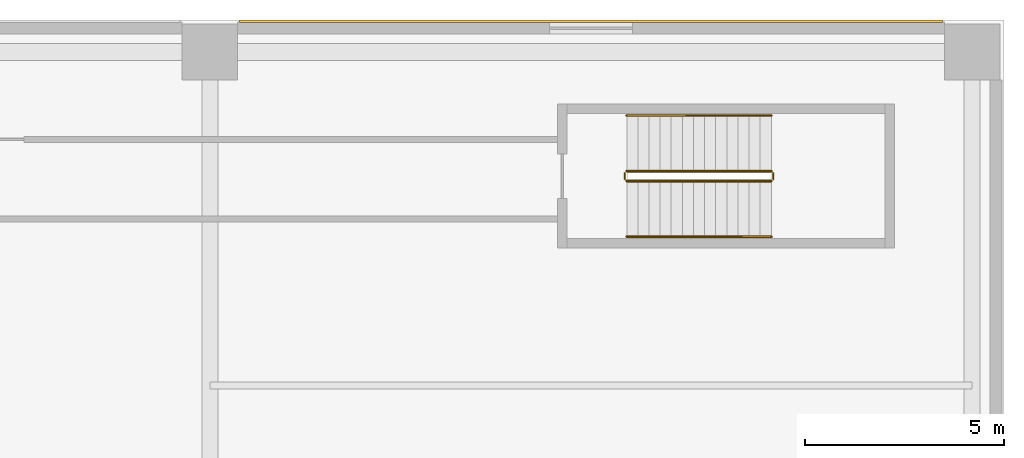
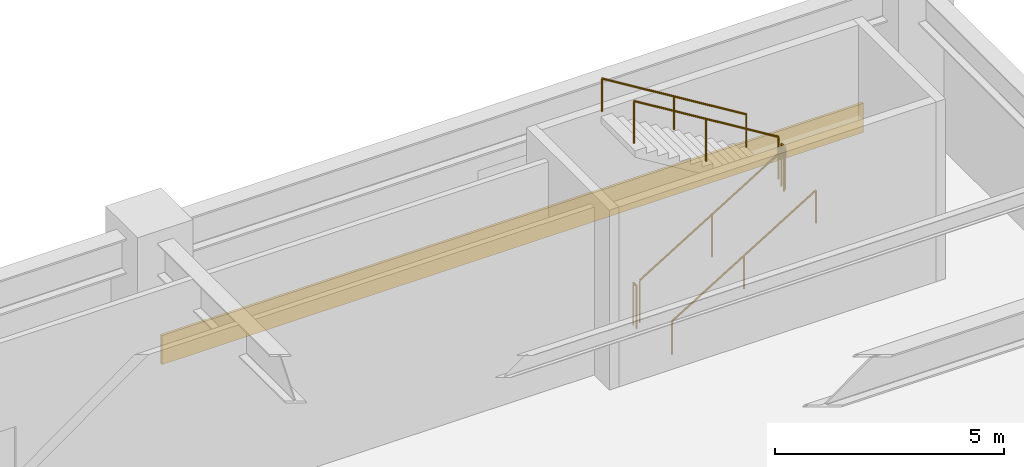
# One storey, part 28 of 28: 6 railings, 1 covering.
"""IFC4 building model written with IfcOpenShell, lengths in metres."""

from ifc_helpers import new_model, si_unit, direction, frame, origin, origin_2d, place, context, subcontext, project, spatial, rectangle, circle, extrude, material, layer, layer_set, type_object, element, save


model = new_model("IFC4")

# Units and contexts
model_context = context("Model", 3, precision=1e-05, world=origin(), true_north=direction((0.0, 1.0)))
body_context = subcontext(model_context, "Body", "Model", "MODEL_VIEW")
ifc_project = project(units=[si_unit("LENGTHUNIT", "METRE"), si_unit("AREAUNIT", "SQUARE_METRE"), si_unit("VOLUMEUNIT", "CUBIC_METRE"), si_unit("PLANEANGLEUNIT", "RADIAN"), si_unit("MASSUNIT", "GRAM", prefix="KILO")], contexts=[model_context])

# Site, building, storey
site_placement = place(None, origin())
site = spatial("IfcSite", under=ifc_project, at=site_placement, CompositionType="ELEMENT")
building_placement = place(site_placement, origin())
building = spatial("IfcBuilding", under=site, at=building_placement, Name="Soratama Intermodal Tower", CompositionType="ELEMENT")
storey_placement = place(building_placement, frame((0.0, 0.0, 11.39990234375)))
storey = spatial("IfcBuildingStorey", under=building, at=storey_placement, Name="L02", CompositionType="ELEMENT", Elevation=11.39990234375)

# Covering
ifc_material_1 = material(Name="Honed Andean limestone cladding", Category="masonry")
ifc_layer = layer(ifc_material_1, 0.06005859375)
ifc_layer_set = layer_set([ifc_layer], Name="Honed Andean limestone cladding")
covering_type = type_object("IfcCoveringType", Name="CV-STONE-CLAD", PredefinedType="CLADDING", material=ifc_layer_set)
covering_placement = place(storey_placement, frame((73.60009765625, 47.97607421875, 0.0302734375), z_axis=(0.0, 0.0, 1.0), x_axis=(1.0, 0.0, 0.0)))
element("IfcCovering", 1, at=covering_placement, inside=storey, type_object=covering_type, Name="L02 N Cladding B5", PredefinedType="CLADDING", context=body_context, shape_type="SweptSolid", body=[
    extrude(rectangle(XDim=17.699951171875, YDim=0.06005859375, at=origin_2d()), origin(), (0.0, 0.0, 1.0), 0.780029296875),
])

# Railings
ifc_material_2 = material(Name="Painted steel stair guardrail", Category="steel")
railing_type_1 = type_object("IfcRailingType", Name="RL-STAIR-GUARD", PredefinedType="GUARDRAIL", material=ifc_material_2)
railing_1_placement = place(storey_placement, frame((74.5, 43.949951171875, 0.171630859375)))
element("IfcRailing", 2, at=railing_1_placement, inside=storey, type_object=railing_type_1, Name="L02 ST-4 stair guard 1", PredefinedType="GUARDRAIL", context=body_context, shape_type="SweptSolid", body=[
    extrude(circle(Radius=0.02392578125, at=origin_2d()), frame((0.0, 0.0, 1.1259765625), z_axis=(0.852850264322, 0.0, 0.5221555579), x_axis=(0.0, 1.0, 0.0)), (0.0, 0.0, 1.0), 4.267822265625),
    extrude(circle(Radius=0.02099609375, at=origin_2d()), origin(), (0.0, 0.0, 1.0), 1.101806640625),
    extrude(circle(Radius=0.02099609375, at=origin_2d()), frame((1.81982421875, 0.0, 1.1142578125)), (0.0, 0.0, 1.0), 1.101806640625),
    extrude(circle(Radius=0.02099609375, at=origin_2d()), frame((3.639892578125, 0.0, 2.228515625)), (0.0, 0.0, 1.0), 1.101806640625),
])
railing_2_placement = place(storey_placement, frame((78.18994140625, 44.0, 2.400146484375)))
element("IfcRailing", 3, at=railing_2_placement, inside=storey, type_object=railing_type_1, Name="L02 ST-4 stair guard 2", PredefinedType="GUARDRAIL", context=body_context, shape_type="SweptSolid", body=[
    extrude(circle(Radius=0.02392578125, at=origin_2d()), frame((0.0, 0.0, 1.1259765625), z_axis=(0.0, 1.0, 0.0), x_axis=(-1.0, 0.0, 0.0)), (0.0, 0.0, 1.0), 0.14990234375),
    extrude(circle(Radius=0.02099609375, at=origin_2d()), origin(), (0.0, 0.0, 1.0), 1.101806640625),
    extrude(circle(Radius=0.02099609375, at=origin_2d()), frame((0.0, 0.14990234375, 0.0)), (0.0, 0.0, 1.0), 1.101806640625),
])
railing_3_placement = place(storey_placement, frame((78.139892578125, 44.199951171875, 2.571533203125)))
element("IfcRailing", 4, at=railing_3_placement, inside=storey, type_object=railing_type_1, Name="L02 ST-4 stair guard 3", PredefinedType="GUARDRAIL", context=body_context, shape_type="SweptSolid", body=[
    extrude(circle(Radius=0.02392578125, at=origin_2d()), frame((0.0, 0.0, 1.1259765625), z_axis=(-0.852850264322, 0.0, 0.5221555579), x_axis=(0.0, -1.0, 0.0)), (0.0, 0.0, 1.0), 4.267822265625),
    extrude(circle(Radius=0.02099609375, at=origin_2d()), origin(), (0.0, 0.0, 1.0), 1.101806640625),
    extrude(circle(Radius=0.02099609375, at=origin_2d()), frame((-1.81982421875, 0.0, 1.1142578125)), (0.0, 0.0, 1.0), 1.101806640625),
    extrude(circle(Radius=0.02099609375, at=origin_2d()), frame((-3.639892578125, 0.0, 2.228515625)), (0.0, 0.0, 1.0), 1.101806640625),
])
railing_4_placement = place(storey_placement, frame((74.449951171875, 44.0, 0.0)))
element("IfcRailing", 5, at=railing_4_placement, inside=storey, type_object=railing_type_1, Name="L02 ST-4 stair guard 4", PredefinedType="GUARDRAIL", context=body_context, shape_type="SweptSolid", body=[
    extrude(circle(Radius=0.02392578125, at=origin_2d()), frame((0.0, 0.0, 1.1259765625), z_axis=(0.0, 1.0, 0.0), x_axis=(-1.0, 0.0, 0.0)), (0.0, 0.0, 1.0), 0.14990234375),
    extrude(circle(Radius=0.02099609375, at=origin_2d()), origin(), (0.0, 0.0, 1.0), 1.101806640625),
    extrude(circle(Radius=0.02099609375, at=origin_2d()), frame((0.0, 0.14990234375, 0.0)), (0.0, 0.0, 1.0), 1.101806640625),
])
ifc_material_3 = material(Name="Brushed stainless steel handrail", Category="steel")
railing_type_2 = type_object("IfcRailingType", Name="RL-STAIR-HAND", PredefinedType="HANDRAIL", material=ifc_material_3)
railing_5_placement = place(storey_placement, frame((74.5, 42.550048828125, 0.171630859375)))
element("IfcRailing", 6, at=railing_5_placement, inside=storey, type_object=railing_type_2, Name="L02 ST-4 stair handrail 1", PredefinedType="HANDRAIL", context=body_context, shape_type="SweptSolid", body=[
    extrude(circle(Radius=0.02392578125, at=origin_2d()), frame((0.0, 0.0, 0.8759765625), z_axis=(0.852850264322, 0.0, 0.5221555579), x_axis=(0.0, 1.0, 0.0)), (0.0, 0.0, 1.0), 4.267822265625),
    extrude(circle(Radius=0.02099609375, at=origin_2d()), origin(), (0.0, 0.0, 1.0), 0.851806640625),
    extrude(circle(Radius=0.02099609375, at=origin_2d()), frame((1.81982421875, 0.0, 1.1142578125)), (0.0, 0.0, 1.0), 0.851806640625),
    extrude(circle(Radius=0.02099609375, at=origin_2d()), frame((3.639892578125, 0.0, 2.228515625)), (0.0, 0.0, 1.0), 0.851806640625),
])
railing_6_placement = place(storey_placement, frame((78.139892578125, 45.60009765625, 2.571533203125)))
element("IfcRailing", 7, at=railing_6_placement, inside=storey, type_object=railing_type_2, Name="L02 ST-4 stair handrail 2", PredefinedType="HANDRAIL", context=body_context, shape_type="SweptSolid", body=[
    extrude(circle(Radius=0.02392578125, at=origin_2d()), frame((0.0, 0.0, 0.8759765625), z_axis=(-0.852850264322, 0.0, 0.5221555579), x_axis=(0.0, -1.0, 0.0)), (0.0, 0.0, 1.0), 4.267822265625),
    extrude(circle(Radius=0.02099609375, at=origin_2d()), origin(), (0.0, 0.0, 1.0), 0.851806640625),
    extrude(circle(Radius=0.02099609375, at=origin_2d()), frame((-1.81982421875, 0.0, 1.1142578125)), (0.0, 0.0, 1.0), 0.851806640625),
    extrude(circle(Radius=0.02099609375, at=origin_2d()), frame((-3.639892578125, 0.0, 2.228515625)), (0.0, 0.0, 1.0), 0.851806640625),
])

save(model, "model.ifc")
